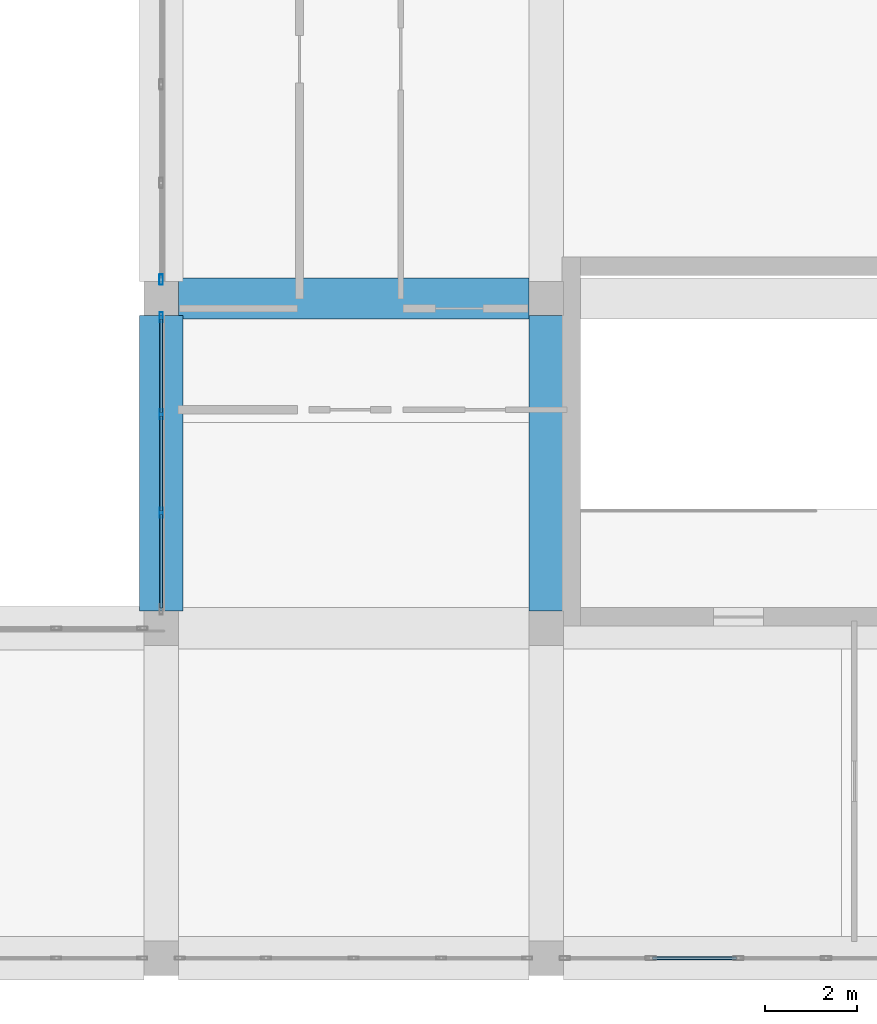
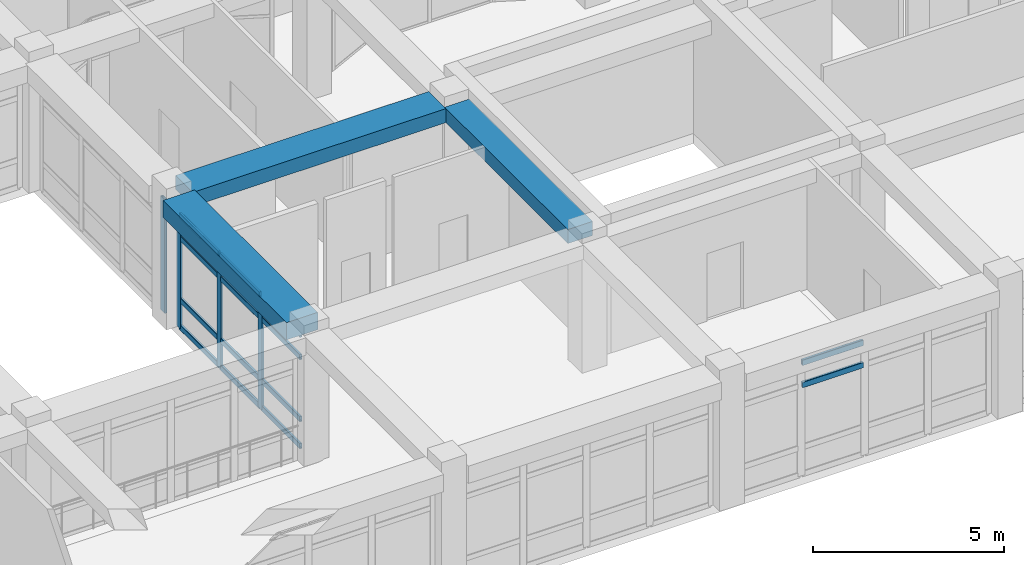
# One storey, part 16 of 121: 18 members, 3 beams, 3 elements without a shape of their own.
"""IFC4 building model written with IfcOpenShell, lengths in metres."""

from ifc_helpers import new_model, si_unit, derived_unit, direction, frame, origin, origin_2d, place, context, subcontext, project, spatial, rectangle, hollow_rectangle, extrude, material, material_profile, profile_set, type_object, element, aggregate, save


model = new_model("IFC4")

# Units and contexts
model_context = context("Model", 3, precision=1e-05, world=origin(), true_north=direction((0.0, 1.0)))
body_context = subcontext(model_context, "Body", "Model", "MODEL_VIEW")
ifc_project = project(units=[si_unit("LENGTHUNIT", "METRE"), si_unit("AREAUNIT", "SQUARE_METRE"), si_unit("VOLUMEUNIT", "CUBIC_METRE"), si_unit("PLANEANGLEUNIT", "RADIAN"), si_unit("MASSUNIT", "GRAM", prefix="KILO"), derived_unit("THERMALTRANSMITTANCEUNIT", [(si_unit("POWERUNIT", "WATT"), 1), (si_unit("LENGTHUNIT", "METRE"), -2), (si_unit("THERMODYNAMICTEMPERATUREUNIT", "KELVIN"), -1)])], contexts=[model_context])

# Site, building, storey
site_placement = place(None, origin())
site = spatial("IfcSite", under=ifc_project, at=site_placement, CompositionType="ELEMENT")
building_placement = place(site_placement, origin())
building = spatial("IfcBuilding", under=site, at=building_placement, Name="Veybourne Emporium", CompositionType="ELEMENT")
storey_placement = place(building_placement, frame((0.0, 0.0, 5.39990234375)))
storey = spatial("IfcBuildingStorey", under=building, at=storey_placement, Name="L01", CompositionType="ELEMENT", Elevation=5.39990234375)

# Curtain wall, members
ifc_material_1 = material(Name="Patinated Architectural Bronze", Category="bronze")
curtain_wall_type_1 = type_object("IfcCurtainWallType", Name="CWSystem_CWS-13", PredefinedType="NOTDEFINED", material=ifc_material_1)
curtain_wall_1_placement = place(storey_placement, origin())
curtain_wall_1 = element("IfcCurtainWall", 1, at=curtain_wall_1_placement, inside=storey, type_object=curtain_wall_type_1, Name="L01 bronze glazed curtain wall CWS-13 (038)", PredefinedType="NOTDEFINED")
ifc_material_profile_1 = material_profile(ifc_material_1, hollow_rectangle(XDim=0.072021484375, YDim=0.22509765625, WallThickness=0.0048828125, InnerFilletRadius=0.007568359375, OuterFilletRadius=0.012451171875, at=origin_2d()), Name="CWM 72x225x5")
ifc_profile_set_1 = profile_set([ifc_material_profile_1], Name="Patinated Architectural Bronze")
member_type_1 = type_object("IfcMemberType", Name="CWMullion_CW-M1", PredefinedType="MULLION", material=ifc_profile_set_1)
member_1_placement = place(storey_placement, frame((67.199951171875, 9.72509765625, 0.0), z_axis=(0.0, 0.0, 1.0), x_axis=(-1.0, 0.0, 0.0)))
member_1 = element("IfcMember", 2, at=member_1_placement, type_object=member_type_1, Name="CWS-13 mullion 2", PredefinedType="MULLION", context=body_context, shape_type="SweptSolid", body=[
    extrude(hollow_rectangle(XDim=0.072021484375, YDim=0.22509765625, WallThickness=0.0048828125, InnerFilletRadius=0.007568359375, OuterFilletRadius=0.012451171875, at=origin_2d()), origin(), (0.0, 0.0, 1.0), 3.630126953125),
])
member_2_placement = place(storey_placement, frame((67.199951171875, 11.875, 0.0), z_axis=(0.0, 0.0, 1.0), x_axis=(-1.0, 0.0, 0.0)))
member_2 = element("IfcMember", 3, at=member_2_placement, type_object=member_type_1, Name="CWS-13 mullion 3", PredefinedType="MULLION", context=body_context, shape_type="SweptSolid", body=[
    extrude(hollow_rectangle(XDim=0.072021484375, YDim=0.22509765625, WallThickness=0.0048828125, InnerFilletRadius=0.007568359375, OuterFilletRadius=0.012451171875, at=origin_2d()), origin(), (0.0, 0.0, 1.0), 3.630126953125),
])
member_3_placement = place(storey_placement, frame((67.199951171875, 13.989013671875, 0.0), z_axis=(0.0, 0.0, 1.0), x_axis=(-1.0, 0.0, 0.0)))
member_3 = element("IfcMember", 4, at=member_3_placement, type_object=member_type_1, Name="CWS-13 mullion 4", PredefinedType="MULLION", context=body_context, shape_type="SweptSolid", body=[
    extrude(hollow_rectangle(XDim=0.072021484375, YDim=0.22509765625, WallThickness=0.0048828125, InnerFilletRadius=0.007568359375, OuterFilletRadius=0.012451171875, at=origin_2d()), origin(), (0.0, 0.0, 1.0), 3.630126953125),
])

# Curtain wall, member
curtain_wall_type_2 = type_object("IfcCurtainWallType", Name="CWSystem_CWS-14", PredefinedType="NOTDEFINED", material=ifc_material_1)
curtain_wall_2_placement = place(storey_placement, origin())
curtain_wall_2 = element("IfcCurtainWall", 5, at=curtain_wall_2_placement, inside=storey, type_object=curtain_wall_type_2, Name="L01 bronze glazed curtain wall CWS-14 (039)", PredefinedType="NOTDEFINED")
ifc_material_profile_2 = material_profile(ifc_material_1, hollow_rectangle(XDim=0.074951171875, YDim=0.22998046875, WallThickness=0.0048828125, InnerFilletRadius=0.007568359375, OuterFilletRadius=0.012451171875, at=origin_2d()), Name="CWM 75x230x5")
ifc_profile_set_2 = profile_set([ifc_material_profile_2], Name="Patinated Architectural Bronze")
member_type_2 = type_object("IfcMemberType", Name="CWMullion_CW-M2", PredefinedType="MULLION", material=ifc_profile_set_2)
member_4_placement = place(storey_placement, frame((67.199951171875, 14.8125, 0.0), z_axis=(0.0, 0.0, 1.0), x_axis=(-1.0, 0.0, 0.0)))
member_4 = element("IfcMember", 6, at=member_4_placement, type_object=member_type_2, Name="CWS-14 mullion 1", PredefinedType="MULLION", context=body_context, shape_type="SweptSolid", body=[
    extrude(hollow_rectangle(XDim=0.074951171875, YDim=0.22998046875, WallThickness=0.0048828125, InnerFilletRadius=0.007568359375, OuterFilletRadius=0.012451171875, at=origin_2d()), origin(), (0.0, 0.0, 1.0), 3.630126953125),
])
aggregate(curtain_wall_2, [member_4])

# Member
ifc_material_profile_3 = material_profile(ifc_material_1, hollow_rectangle(XDim=0.072021484375, YDim=0.175048828125, WallThickness=0.0048828125, InnerFilletRadius=0.007568359375, OuterFilletRadius=0.012451171875, at=origin_2d()), Name="CWT 72x175x5")
ifc_profile_set_3 = profile_set([ifc_material_profile_3], Name="Patinated Architectural Bronze")
member_type_3 = type_object("IfcMemberType", Name="CWTransom_CW-T1", PredefinedType="NOTDEFINED", material=ifc_profile_set_3)
member_5_placement = place(storey_placement, frame((67.199951171875, 7.64697265625, 0.0361328125), z_axis=(0.0, 1.0, 0.0), x_axis=(-1.0, 0.0, 0.0)))
member_5 = element("IfcMember", 7, at=member_5_placement, type_object=member_type_3, Name="CWS-13 transom 1.1", ObjectType="TRANSOM", PredefinedType="USERDEFINED", context=body_context, shape_type="SweptSolid", body=[
    extrude(hollow_rectangle(XDim=0.072021484375, YDim=0.175048828125, WallThickness=0.0048828125, InnerFilletRadius=0.007568359375, OuterFilletRadius=0.012451171875, at=origin_2d()), origin(), (0.0, 0.0, 1.0), 2.0419921875),
])

member_6_placement = place(storey_placement, frame((67.199951171875, 7.64697265625, 0.900146484375), z_axis=(0.0, 1.0, 0.0), x_axis=(-1.0, 0.0, 0.0)))
member_6 = element("IfcMember", 8, at=member_6_placement, type_object=member_type_3, Name="CWS-13 transom 1.2", ObjectType="TRANSOM", PredefinedType="USERDEFINED", context=body_context, shape_type="SweptSolid", body=[
    extrude(hollow_rectangle(XDim=0.072021484375, YDim=0.175048828125, WallThickness=0.0048828125, InnerFilletRadius=0.007568359375, OuterFilletRadius=0.012451171875, at=origin_2d()), origin(), (0.0, 0.0, 1.0), 2.0419921875),
])

member_7_placement = place(storey_placement, frame((67.199951171875, 7.64697265625, 2.880126953125), z_axis=(0.0, 1.0, 0.0), x_axis=(-1.0, 0.0, 0.0)))
member_7 = element("IfcMember", 9, at=member_7_placement, type_object=member_type_3, Name="CWS-13 transom 1.3", ObjectType="TRANSOM", PredefinedType="USERDEFINED", context=body_context, shape_type="SweptSolid", body=[
    extrude(hollow_rectangle(XDim=0.072021484375, YDim=0.175048828125, WallThickness=0.0048828125, InnerFilletRadius=0.007568359375, OuterFilletRadius=0.012451171875, at=origin_2d()), origin(), (0.0, 0.0, 1.0), 2.0419921875),
])

member_8_placement = place(storey_placement, frame((67.199951171875, 7.64697265625, 3.593994140625), z_axis=(0.0, 1.0, 0.0), x_axis=(-1.0, 0.0, 0.0)))
member_8 = element("IfcMember", 10, at=member_8_placement, type_object=member_type_3, Name="CWS-13 transom 1.4", ObjectType="TRANSOM", PredefinedType="USERDEFINED", context=body_context, shape_type="SweptSolid", body=[
    extrude(hollow_rectangle(XDim=0.072021484375, YDim=0.175048828125, WallThickness=0.0048828125, InnerFilletRadius=0.007568359375, OuterFilletRadius=0.012451171875, at=origin_2d()), origin(), (0.0, 0.0, 1.0), 2.0419921875),
])

member_9_placement = place(storey_placement, frame((67.199951171875, 9.760986328125, 0.0361328125), z_axis=(0.0, 1.0, 0.0), x_axis=(-1.0, 0.0, 0.0)))
member_9 = element("IfcMember", 11, at=member_9_placement, type_object=member_type_3, Name="CWS-13 transom 2.1", ObjectType="TRANSOM", PredefinedType="USERDEFINED", context=body_context, shape_type="SweptSolid", body=[
    extrude(hollow_rectangle(XDim=0.072021484375, YDim=0.175048828125, WallThickness=0.0048828125, InnerFilletRadius=0.007568359375, OuterFilletRadius=0.012451171875, at=origin_2d()), origin(), (0.0, 0.0, 1.0), 2.078125),
])

member_10_placement = place(storey_placement, frame((67.199951171875, 9.760986328125, 0.900146484375), z_axis=(0.0, 1.0, 0.0), x_axis=(-1.0, 0.0, 0.0)))
member_10 = element("IfcMember", 12, at=member_10_placement, type_object=member_type_3, Name="CWS-13 transom 2.2", ObjectType="TRANSOM", PredefinedType="USERDEFINED", context=body_context, shape_type="SweptSolid", body=[
    extrude(hollow_rectangle(XDim=0.072021484375, YDim=0.175048828125, WallThickness=0.0048828125, InnerFilletRadius=0.007568359375, OuterFilletRadius=0.012451171875, at=origin_2d()), origin(), (0.0, 0.0, 1.0), 2.078125),
])

member_11_placement = place(storey_placement, frame((67.199951171875, 9.760986328125, 2.880126953125), z_axis=(0.0, 1.0, 0.0), x_axis=(-1.0, 0.0, 0.0)))
member_11 = element("IfcMember", 13, at=member_11_placement, type_object=member_type_3, Name="CWS-13 transom 2.3", ObjectType="TRANSOM", PredefinedType="USERDEFINED", context=body_context, shape_type="SweptSolid", body=[
    extrude(hollow_rectangle(XDim=0.072021484375, YDim=0.175048828125, WallThickness=0.0048828125, InnerFilletRadius=0.007568359375, OuterFilletRadius=0.012451171875, at=origin_2d()), origin(), (0.0, 0.0, 1.0), 2.078125),
])

member_12_placement = place(storey_placement, frame((67.199951171875, 9.760986328125, 3.593994140625), z_axis=(0.0, 1.0, 0.0), x_axis=(-1.0, 0.0, 0.0)))
member_12 = element("IfcMember", 14, at=member_12_placement, type_object=member_type_3, Name="CWS-13 transom 2.4", ObjectType="TRANSOM", PredefinedType="USERDEFINED", context=body_context, shape_type="SweptSolid", body=[
    extrude(hollow_rectangle(XDim=0.072021484375, YDim=0.175048828125, WallThickness=0.0048828125, InnerFilletRadius=0.007568359375, OuterFilletRadius=0.012451171875, at=origin_2d()), origin(), (0.0, 0.0, 1.0), 2.078125),
])

member_13_placement = place(storey_placement, frame((67.199951171875, 11.910888671875, 0.0361328125), z_axis=(0.0, 1.0, 0.0), x_axis=(-1.0, 0.0, 0.0)))
member_13 = element("IfcMember", 15, at=member_13_placement, type_object=member_type_3, Name="CWS-13 transom 3.1", ObjectType="TRANSOM", PredefinedType="USERDEFINED", context=body_context, shape_type="SweptSolid", body=[
    extrude(hollow_rectangle(XDim=0.072021484375, YDim=0.175048828125, WallThickness=0.0048828125, InnerFilletRadius=0.007568359375, OuterFilletRadius=0.012451171875, at=origin_2d()), origin(), (0.0, 0.0, 1.0), 2.0419921875),
])

member_14_placement = place(storey_placement, frame((67.199951171875, 11.910888671875, 0.900146484375), z_axis=(0.0, 1.0, 0.0), x_axis=(-1.0, 0.0, 0.0)))
member_14 = element("IfcMember", 16, at=member_14_placement, type_object=member_type_3, Name="CWS-13 transom 3.2", ObjectType="TRANSOM", PredefinedType="USERDEFINED", context=body_context, shape_type="SweptSolid", body=[
    extrude(hollow_rectangle(XDim=0.072021484375, YDim=0.175048828125, WallThickness=0.0048828125, InnerFilletRadius=0.007568359375, OuterFilletRadius=0.012451171875, at=origin_2d()), origin(), (0.0, 0.0, 1.0), 2.0419921875),
])

member_15_placement = place(storey_placement, frame((67.199951171875, 11.910888671875, 2.880126953125), z_axis=(0.0, 1.0, 0.0), x_axis=(-1.0, 0.0, 0.0)))
member_15 = element("IfcMember", 17, at=member_15_placement, type_object=member_type_3, Name="CWS-13 transom 3.3", ObjectType="TRANSOM", PredefinedType="USERDEFINED", context=body_context, shape_type="SweptSolid", body=[
    extrude(hollow_rectangle(XDim=0.072021484375, YDim=0.175048828125, WallThickness=0.0048828125, InnerFilletRadius=0.007568359375, OuterFilletRadius=0.012451171875, at=origin_2d()), origin(), (0.0, 0.0, 1.0), 2.0419921875),
])

member_16_placement = place(storey_placement, frame((67.199951171875, 11.910888671875, 3.593994140625), z_axis=(0.0, 1.0, 0.0), x_axis=(-1.0, 0.0, 0.0)))
member_16 = element("IfcMember", 18, at=member_16_placement, type_object=member_type_3, Name="CWS-13 transom 3.4", ObjectType="TRANSOM", PredefinedType="USERDEFINED", context=body_context, shape_type="SweptSolid", body=[
    extrude(hollow_rectangle(XDim=0.072021484375, YDim=0.175048828125, WallThickness=0.0048828125, InnerFilletRadius=0.007568359375, OuterFilletRadius=0.012451171875, at=origin_2d()), origin(), (0.0, 0.0, 1.0), 2.0419921875),
])

aggregate(curtain_wall_1, [member_1, member_2, member_3, member_5, member_6, member_7, member_8, member_9, member_10, member_11, member_12, member_13, member_14, member_15, member_16])

# Curtain wall, members
curtain_wall_type_3 = type_object("IfcCurtainWallType", Name="CWSystem_CWS-15", PredefinedType="NOTDEFINED", material=ifc_material_1)
curtain_wall_3_placement = place(storey_placement, origin())
curtain_wall_3 = element("IfcCurtainWall", 19, at=curtain_wall_3_placement, inside=storey, type_object=curtain_wall_type_3, Name="L01 bronze glazed curtain wall CWS-15 (041)", PredefinedType="NOTDEFINED")
ifc_material_profile_4 = material_profile(ifc_material_1, hollow_rectangle(XDim=0.077880859375, YDim=0.18505859375, WallThickness=0.0048828125, InnerFilletRadius=0.007568359375, OuterFilletRadius=0.012451171875, at=origin_2d()), Name="CWT 78x185x5")
ifc_profile_set_4 = profile_set([ifc_material_profile_4], Name="Patinated Architectural Bronze")
member_type_4 = type_object("IfcMemberType", Name="CWTransom_CW-T3", PredefinedType="NOTDEFINED", material=ifc_profile_set_4)
member_17_placement = place(storey_placement, frame((79.760986328125, 0.0, 2.880126953125), z_axis=(-1.0, 0.0, 0.0), x_axis=(0.0, -1.0, 0.0)))
member_17 = element("IfcMember", 20, at=member_17_placement, type_object=member_type_4, Name="CWS-15 transom 3.3", ObjectType="TRANSOM", PredefinedType="USERDEFINED", context=body_context, shape_type="SweptSolid", body=[
    extrude(hollow_rectangle(XDim=0.077880859375, YDim=0.18505859375, WallThickness=0.0048828125, InnerFilletRadius=0.007568359375, OuterFilletRadius=0.012451171875, at=origin_2d()), origin(), (0.0, 0.0, 1.0), 1.83447265625),
])
member_18_placement = place(storey_placement, frame((79.760986328125, 0.0, 3.591064453125), z_axis=(-1.0, 0.0, 0.0), x_axis=(0.0, -1.0, 0.0)))
member_18 = element("IfcMember", 21, at=member_18_placement, type_object=member_type_4, Name="CWS-15 transom 3.4", ObjectType="TRANSOM", PredefinedType="USERDEFINED", context=body_context, shape_type="SweptSolid", body=[
    extrude(hollow_rectangle(XDim=0.077880859375, YDim=0.18505859375, WallThickness=0.0048828125, InnerFilletRadius=0.007568359375, OuterFilletRadius=0.012451171875, at=origin_2d()), origin(), (0.0, 0.0, 1.0), 1.83447265625),
])
aggregate(curtain_wall_3, [member_17, member_18])

# Beams
ifc_material_2 = material(Name="Concrete C32/40", Category="concrete")
ifc_material_profile_5 = material_profile(ifc_material_2, rectangle(XDim=0.89990234375, YDim=0.449951171875, at=origin_2d()), Name="RC 900x450")
ifc_profile_set_5 = profile_set([ifc_material_profile_5], Name="Concrete C32/40")
beam_type_1 = type_object("IfcBeamType", Name="RCBeam_BB-03", PredefinedType="BEAM", material=ifc_profile_set_5)
beam_1_placement = place(storey_placement, frame((67.574951171875, 14.39990234375, 3.955078125), z_axis=(1.0, 0.0, 0.0), x_axis=(0.0, 1.0, 0.0)))
element("IfcBeam", 22, at=beam_1_placement, inside=storey, type_object=beam_type_1, Name="L01 X-grid beam BB-03 (8,2)", PredefinedType="BEAM", context=body_context, shape_type="SweptSolid", body=[
    extrude(rectangle(XDim=0.89990234375, YDim=0.449951171875, at=origin_2d()), origin(), (0.0, 0.0, 1.0), 7.650146484375),
])
ifc_material_profile_6 = material_profile(ifc_material_2, rectangle(XDim=0.75, YDim=0.449951171875, at=origin_2d()), Name="RC 750x450")
ifc_profile_set_6 = profile_set([ifc_material_profile_6], Name="Concrete C32/40")
beam_type_2 = type_object("IfcBeamType", Name="RCBeam_BB-04", PredefinedType="BEAM", material=ifc_profile_set_6)
beam_2_placement = place(storey_placement, frame((75.60009765625, 7.574951171875, 3.955078125), z_axis=(0.0, 1.0, 0.0), x_axis=(-1.0, 0.0, 0.0)))
element("IfcBeam", 23, at=beam_2_placement, inside=storey, type_object=beam_type_2, Name="L01 Y-grid beam BB-04 (9,1)", PredefinedType="BEAM", context=body_context, shape_type="SweptSolid", body=[
    extrude(rectangle(XDim=0.75, YDim=0.449951171875, at=origin_2d()), origin(), (0.0, 0.0, 1.0), 6.449951171875),
])
ifc_material_profile_7 = material_profile(ifc_material_2, rectangle(XDim=0.949951171875, YDim=0.550048828125, at=origin_2d()), Name="RC 950x550")
ifc_profile_set_7 = profile_set([ifc_material_profile_7], Name="Concrete C32/40")
beam_type_3 = type_object("IfcBeamType", Name="RCBeam_EB-01", PredefinedType="SPANDREL", material=ifc_profile_set_7)
beam_3_placement = place(storey_placement, frame((67.199951171875, 7.574951171875, 3.905029296875), z_axis=(0.0, 1.0, 0.0), x_axis=(-1.0, 0.0, 0.0)))
element("IfcBeam", 24, at=beam_3_placement, inside=storey, type_object=beam_type_3, Name="L01 Y-grid beam EB-01 (8,1)", PredefinedType="SPANDREL", context=body_context, shape_type="SweptSolid", body=[
    extrude(rectangle(XDim=0.949951171875, YDim=0.550048828125, at=origin_2d()), origin(), (0.0, 0.0, 1.0), 6.449951171875),
])

save(model, "model.ifc")
